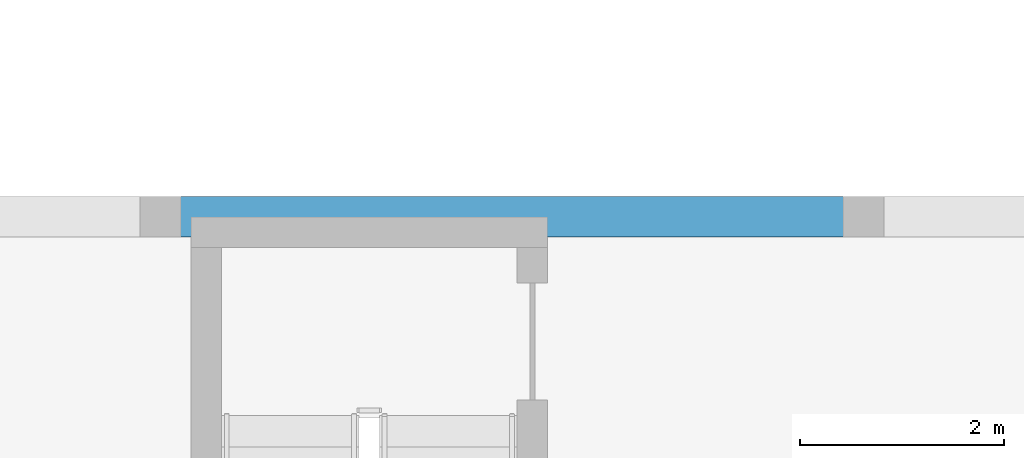
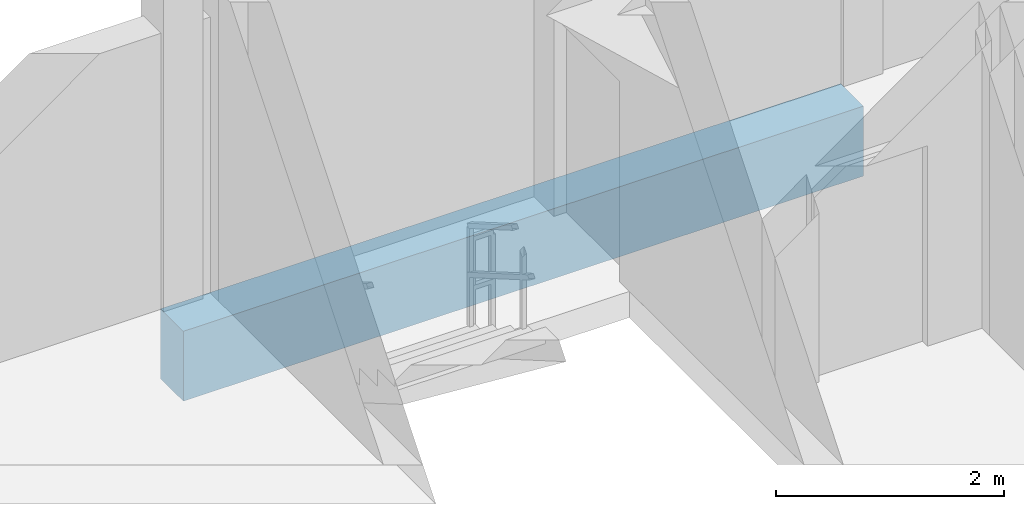
# One storey, part 73 of 189: 1 beam.
"""IFC4 building model written with IfcOpenShell, lengths in metres."""

from ifc_helpers import new_model, si_unit, direction, frame, origin, origin_2d, place, context, subcontext, project, spatial, rectangle, extrude, material, material_profile, profile_set, type_object, element, save


model = new_model("IFC4")

# Units and contexts
model_context = context("Model", 3, precision=1e-05, world=origin(), true_north=direction((0.0, 1.0)))
body_context = subcontext(model_context, "Body", "Model", "MODEL_VIEW")
ifc_project = project(units=[si_unit("LENGTHUNIT", "METRE"), si_unit("AREAUNIT", "SQUARE_METRE"), si_unit("VOLUMEUNIT", "CUBIC_METRE"), si_unit("PLANEANGLEUNIT", "RADIAN"), si_unit("MASSUNIT", "GRAM", prefix="KILO")], contexts=[model_context])

# Site, building, storey
site_placement = place(None, origin())
site = spatial("IfcSite", under=ifc_project, at=site_placement, CompositionType="ELEMENT")
building_placement = place(site_placement, origin())
building = spatial("IfcBuilding", under=site, at=building_placement, Name="Zavelmont Quarter", CompositionType="ELEMENT")
storey_placement = place(building_placement, frame((0.0, 0.0, 4.39990234375)))
storey = spatial("IfcBuildingStorey", under=building, at=storey_placement, Name="L01", CompositionType="ELEMENT", Elevation=4.39990234375)

# Beam
ifc_material = material(Name="Concrete C40/50", Category="concrete")
ifc_material_profile = material_profile(ifc_material, rectangle(XDim=0.39990234375, YDim=0.75, at=origin_2d()), Name="RC400X750")
ifc_profile_set = profile_set([ifc_material_profile], Name="Concrete C40/50")
beam_type = type_object("IfcBeamType", Name="BM05", PredefinedType="BEAM", material=ifc_profile_set)
beam_placement = place(storey_placement, frame((6.89990234375, 86.0, -0.65478515625), z_axis=(1.0, 0.0, 0.0), x_axis=(0.0, 1.0, 0.0)))
element("IfcBeam", 1, at=beam_placement, inside=storey, type_object=beam_type, Name="L01 beam BM05 2/N to 3/N", PredefinedType="BEAM", context=body_context, shape_type="SweptSolid", body=[
    extrude(rectangle(XDim=0.39990234375, YDim=0.75, at=origin_2d()), origin(), (0.0, 0.0, 1.0), 6.900146484375),
])

save(model, "model.ifc")
